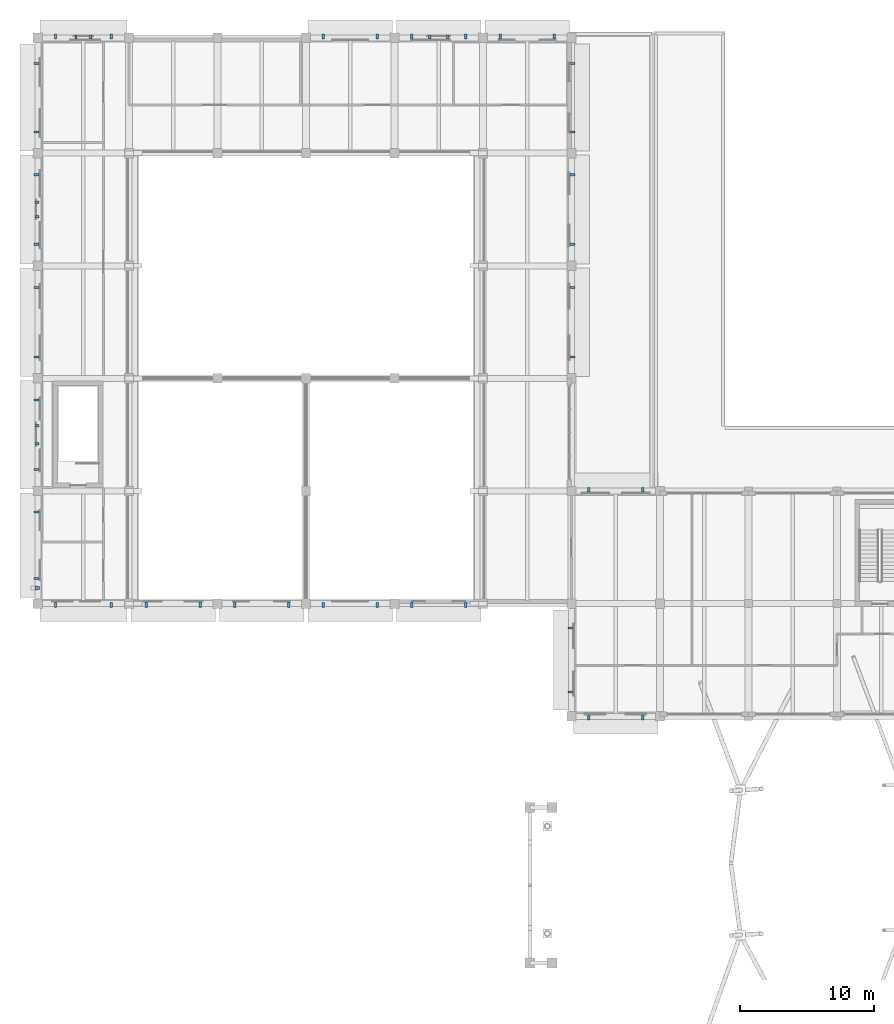
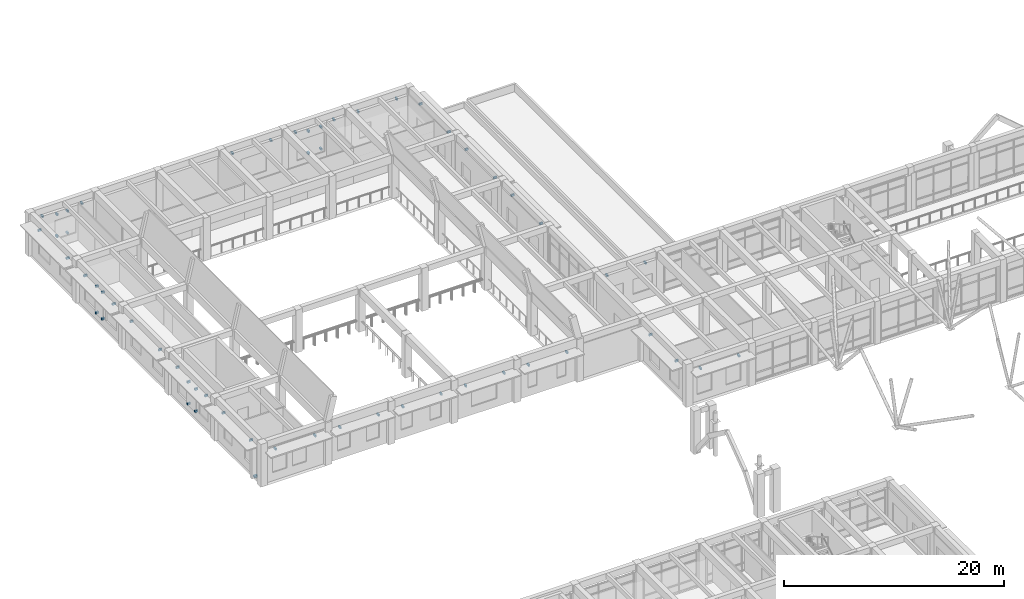
# One storey, part 60 of 75: 57 discrete accessories.
"""IFC4 building model written with IfcOpenShell, lengths in metres."""

from ifc_helpers import new_model, si_unit, direction, frame, origin, origin_2d, place, context, subcontext, project, spatial, rectangle, extrude, material, type_object, element, save


model = new_model("IFC4")

# Units and contexts
model_context = context("Model", 3, precision=1e-05, world=origin(), true_north=direction((0.0, 1.0)))
body_context = subcontext(model_context, "Body", "Model", "MODEL_VIEW")
ifc_project = project(units=[si_unit("LENGTHUNIT", "METRE"), si_unit("AREAUNIT", "SQUARE_METRE"), si_unit("VOLUMEUNIT", "CUBIC_METRE"), si_unit("PLANEANGLEUNIT", "RADIAN"), si_unit("MASSUNIT", "GRAM", prefix="KILO")], contexts=[model_context])

# Site, building, storey
site_placement = place(None, origin())
site = spatial("IfcSite", under=ifc_project, at=site_placement, CompositionType="ELEMENT")
building_placement = place(site_placement, origin())
building = spatial("IfcBuilding", under=site, at=building_placement, Name="Kolvaren Faculty of Natural Sciences", CompositionType="ELEMENT")
storey_placement = place(building_placement, frame((0.0, 0.0, 5.39990234375)))
storey = spatial("IfcBuildingStorey", under=building, at=storey_placement, Name="L01", CompositionType="ELEMENT", Elevation=5.39990234375)

# Discrete accessories
ifc_material = material(Name="Structural steel EN 10025-2 S355J2", Category="steel")
discrete_accessory_type = type_object("IfcDiscreteAccessoryType", Name="FacadeSupportBracket_260", PredefinedType="BRACKET", material=ifc_material)
discrete_accessory_placement = place(storey_placement, frame((-0.0400390625, 76.969970703125, 0.1103515625), z_axis=(0.0, 0.0, 1.0), x_axis=(0.0, 1.0, 0.0)))
element("IfcDiscreteAccessory", 1, at=discrete_accessory_placement, inside=storey, type_object=discrete_accessory_type, Name="L01 facade relief pier anchor bracket 2", PredefinedType="BRACKET", context=body_context, shape_type="SweptSolid", body=[
    extrude(rectangle(XDim=0.239990234375, YDim=0.360107421875, at=origin_2d()), origin(), (0.0, 0.0, 1.0), 0.219970703125),
])
for number, where, z_axis, x_axis, name in (
    (2, (-0.10009765625, 77.67041015625, 3.71533203125), (0.0, 0.0, 1.0), (0.0, 1.0, 0.0), "L01 chhajja hood steel bracket"),
    (3, (-0.10009765625, 82.649658203125, 3.71533203125), (0.0, 0.0, 1.0), (0.0, 1.0, 0.0), "L01 chhajja hood steel bracket"),
    (4, (-0.10009765625, 85.80810546875, 3.71533203125), (0.0, 0.0, 1.0), (0.0, 1.0, 0.0), "L01 chhajja hood steel bracket"),
    (5, (-0.10009765625, 90.991943359375, 3.71533203125), (0.0, 0.0, 1.0), (0.0, 1.0, 0.0), "L01 chhajja hood steel bracket"),
):
    element("IfcDiscreteAccessory", number, at=place(storey_placement, frame(where, z_axis=z_axis, x_axis=x_axis)), inside=storey, type_object=discrete_accessory_type, Name=name, PredefinedType="BRACKET", context=body_context, shape_type="SweptSolid", body=[
        extrude(rectangle(XDim=0.159912109375, YDim=0.340087890625, at=origin_2d()), origin(), (0.0, 0.0, 1.0), 0.219970703125),
    ])
for number, where, z_axis, x_axis, name in (
    (6, (-0.06005859375, 87.735107421875, 0.8203125), (0.0, 0.0, 1.0), (0.0, 1.0, 0.0), "L01 jali screen wall bracket"),
    (7, (-0.06005859375, 89.06494140625, 0.8203125), (0.0, 0.0, 1.0), (0.0, 1.0, 0.0), "L01 jali screen wall bracket"),
    (8, (-0.06005859375, 87.735107421875, 3.26025390625), (0.0, 0.0, 1.0), (0.0, 1.0, 0.0), "L01 jali screen wall bracket"),
    (9, (-0.06005859375, 89.06494140625, 3.26025390625), (0.0, 0.0, 1.0), (0.0, 1.0, 0.0), "L01 jali screen wall bracket"),
):
    element("IfcDiscreteAccessory", number, at=place(storey_placement, frame(where, z_axis=z_axis, x_axis=x_axis)), inside=storey, type_object=discrete_accessory_type, Name=name, PredefinedType="BRACKET", context=body_context, shape_type="SweptSolid", body=[
        extrude(rectangle(XDim=0.179931640625, YDim=0.320068359375, at=origin_2d()), origin(), (0.0, 0.0, 1.0), 0.219970703125),
    ])
for number, where, z_axis, x_axis, name in (
    (10, (-0.10009765625, 94.2080078125, 3.71533203125), (0.0, 0.0, 1.0), (0.0, 1.0, 0.0), "L01 chhajja hood steel bracket"),
    (11, (-0.10009765625, 99.39208984375, 3.71533203125), (0.0, 0.0, 1.0), (0.0, 1.0, 0.0), "L01 chhajja hood steel bracket"),
    (12, (-0.10009765625, 102.60791015625, 3.71533203125), (0.0, 0.0, 1.0), (0.0, 1.0, 0.0), "L01 chhajja hood steel bracket"),
    (13, (-0.10009765625, 107.7919921875, 3.71533203125), (0.0, 0.0, 1.0), (0.0, 1.0, 0.0), "L01 chhajja hood steel bracket"),
):
    element("IfcDiscreteAccessory", number, at=place(storey_placement, frame(where, z_axis=z_axis, x_axis=x_axis)), inside=storey, type_object=discrete_accessory_type, Name=name, PredefinedType="BRACKET", context=body_context, shape_type="SweptSolid", body=[
        extrude(rectangle(XDim=0.159912109375, YDim=0.340087890625, at=origin_2d()), origin(), (0.0, 0.0, 1.0), 0.219970703125),
    ])
for number, where, z_axis, x_axis, name in (
    (14, (-0.06005859375, 104.64892578125, 0.8203125), (0.0, 0.0, 1.0), (0.0, 1.0, 0.0), "L01 jali screen wall bracket"),
    (15, (-0.06005859375, 105.7509765625, 0.8203125), (0.0, 0.0, 1.0), (0.0, 1.0, 0.0), "L01 jali screen wall bracket"),
    (16, (-0.06005859375, 104.64892578125, 3.76025390625), (0.0, 0.0, 1.0), (0.0, 1.0, 0.0), "L01 jali screen wall bracket"),
    (17, (-0.06005859375, 105.7509765625, 3.76025390625), (0.0, 0.0, 1.0), (0.0, 1.0, 0.0), "L01 jali screen wall bracket"),
):
    element("IfcDiscreteAccessory", number, at=place(storey_placement, frame(where, z_axis=z_axis, x_axis=x_axis)), inside=storey, type_object=discrete_accessory_type, Name=name, PredefinedType="BRACKET", context=body_context, shape_type="SweptSolid", body=[
        extrude(rectangle(XDim=0.179931640625, YDim=0.320068359375, at=origin_2d()), origin(), (0.0, 0.0, 1.0), 0.219970703125),
    ])
for number, where, z_axis, x_axis, name in (
    (18, (-0.10009765625, 110.986328125, 3.71533203125), (0.0, 0.0, 1.0), (0.0, 1.0, 0.0), "L01 chhajja hood steel bracket"),
    (19, (-0.10009765625, 116.093505859375, 3.71533203125), (0.0, 0.0, 1.0), (0.0, 1.0, 0.0), "L01 chhajja hood steel bracket"),
    (20, (1.320068359375, 118.10009765625, 3.56494140625), (0.0, 0.0, 1.0), (1.0, 0.0, 0.0), "L01 chhajja hood steel bracket"),
    (21, (5.47998046875, 118.10009765625, 3.56494140625), (0.0, 0.0, 1.0), (1.0, 0.0, 0.0), "L01 chhajja hood steel bracket"),
):
    element("IfcDiscreteAccessory", number, at=place(storey_placement, frame(where, z_axis=z_axis, x_axis=x_axis)), inside=storey, type_object=discrete_accessory_type, Name=name, PredefinedType="BRACKET", context=body_context, shape_type="SweptSolid", body=[
        extrude(rectangle(XDim=0.159912109375, YDim=0.340087890625, at=origin_2d()), origin(), (0.0, 0.0, 1.0), 0.219970703125),
    ])
for number, where, z_axis, x_axis, name in (
    (22, (2.84912109375, 118.06005859375, 0.8203125), (0.0, 0.0, 1.0), (1.0, 0.0, 0.0), "L01 jali screen wall bracket"),
    (23, (3.950927734375, 118.06005859375, 0.8203125), (0.0, 0.0, 1.0), (1.0, 0.0, 0.0), "L01 jali screen wall bracket"),
    (24, (2.84912109375, 118.06005859375, 3.26025390625), (0.0, 0.0, 1.0), (1.0, 0.0, 0.0), "L01 jali screen wall bracket"),
    (25, (3.950927734375, 118.06005859375, 3.26025390625), (0.0, 0.0, 1.0), (1.0, 0.0, 0.0), "L01 jali screen wall bracket"),
):
    element("IfcDiscreteAccessory", number, at=place(storey_placement, frame(where, z_axis=z_axis, x_axis=x_axis)), inside=storey, type_object=discrete_accessory_type, Name=name, PredefinedType="BRACKET", context=body_context, shape_type="SweptSolid", body=[
        extrude(rectangle(XDim=0.179931640625, YDim=0.320068359375, at=origin_2d()), origin(), (0.0, 0.0, 1.0), 0.219970703125),
    ])
for number, where, z_axis, x_axis, name in (
    (26, (21.283935546875, 118.10009765625, 3.56494140625), (0.0, 0.0, 1.0), (1.0, 0.0, 0.0), "L01 chhajja hood steel bracket"),
    (27, (25.31591796875, 118.10009765625, 3.56494140625), (0.0, 0.0, 1.0), (1.0, 0.0, 0.0), "L01 chhajja hood steel bracket"),
    (28, (27.884033203125, 118.10009765625, 3.56494140625), (0.0, 0.0, 1.0), (1.0, 0.0, 0.0), "L01 chhajja hood steel bracket"),
    (29, (31.916015625, 118.10009765625, 3.56494140625), (0.0, 0.0, 1.0), (1.0, 0.0, 0.0), "L01 chhajja hood steel bracket"),
):
    element("IfcDiscreteAccessory", number, at=place(storey_placement, frame(where, z_axis=z_axis, x_axis=x_axis)), inside=storey, type_object=discrete_accessory_type, Name=name, PredefinedType="BRACKET", context=body_context, shape_type="SweptSolid", body=[
        extrude(rectangle(XDim=0.159912109375, YDim=0.340087890625, at=origin_2d()), origin(), (0.0, 0.0, 1.0), 0.219970703125),
    ])
for number, where, z_axis, x_axis, name in (
    (30, (29.235107421875, 118.06005859375, 0.8203125), (0.0, 0.0, 1.0), (1.0, 0.0, 0.0), "L01 jali screen wall bracket"),
    (31, (30.56494140625, 118.06005859375, 0.8203125), (0.0, 0.0, 1.0), (1.0, 0.0, 0.0), "L01 jali screen wall bracket"),
    (32, (29.235107421875, 118.06005859375, 3.26025390625), (0.0, 0.0, 1.0), (1.0, 0.0, 0.0), "L01 jali screen wall bracket"),
    (33, (30.56494140625, 118.06005859375, 3.26025390625), (0.0, 0.0, 1.0), (1.0, 0.0, 0.0), "L01 jali screen wall bracket"),
):
    element("IfcDiscreteAccessory", number, at=place(storey_placement, frame(where, z_axis=z_axis, x_axis=x_axis)), inside=storey, type_object=discrete_accessory_type, Name=name, PredefinedType="BRACKET", context=body_context, shape_type="SweptSolid", body=[
        extrude(rectangle(XDim=0.179931640625, YDim=0.320068359375, at=origin_2d()), origin(), (0.0, 0.0, 1.0), 0.219970703125),
    ])
for number, where, z_axis, x_axis, name in (
    (34, (34.48388671875, 118.10009765625, 3.56494140625), (0.0, 0.0, 1.0), (1.0, 0.0, 0.0), "L01 chhajja hood steel bracket"),
    (35, (38.51611328125, 118.10009765625, 3.56494140625), (0.0, 0.0, 1.0), (1.0, 0.0, 0.0), "L01 chhajja hood steel bracket"),
    (36, (39.89990234375, 116.093505859375, 3.71533203125), (0.0, 0.0, 1.0), (0.0, -1.0, 0.0), "L01 chhajja hood steel bracket"),
    (37, (39.89990234375, 110.986328125, 3.71533203125), (0.0, 0.0, 1.0), (0.0, -1.0, 0.0), "L01 chhajja hood steel bracket"),
    (38, (39.89990234375, 107.7919921875, 3.71533203125), (0.0, 0.0, 1.0), (0.0, -1.0, 0.0), "L01 chhajja hood steel bracket"),
    (39, (39.89990234375, 102.60791015625, 3.71533203125), (0.0, 0.0, 1.0), (0.0, -1.0, 0.0), "L01 chhajja hood steel bracket"),
    (40, (39.89990234375, 99.39208984375, 3.71533203125), (0.0, 0.0, 1.0), (0.0, -1.0, 0.0), "L01 chhajja hood steel bracket"),
    (41, (39.89990234375, 94.2080078125, 3.71533203125), (0.0, 0.0, 1.0), (0.0, -1.0, 0.0), "L01 chhajja hood steel bracket"),
    (42, (41.083984375, 84.300048828125, 3.56494140625), (0.0, 0.0, 1.0), (1.0, 0.0, 0.0), "L01 chhajja hood steel bracket"),
    (43, (45.115966796875, 84.300048828125, 3.56494140625), (0.0, 0.0, 1.0), (1.0, 0.0, 0.0), "L01 chhajja hood steel bracket"),
    (44, (45.115966796875, 67.300048828125, 3.56494140625), (0.0, 0.0, 1.0), (-1.0, 0.0, 0.0), "L01 chhajja hood steel bracket"),
    (45, (41.083984375, 67.300048828125, 3.56494140625), (0.0, 0.0, 1.0), (-1.0, 0.0, 0.0), "L01 chhajja hood steel bracket"),
    (46, (39.699951171875, 69.212890625, 3.71533203125), (0.0, 0.0, 1.0), (0.0, 1.0, 0.0), "L01 chhajja hood steel bracket"),
    (47, (39.699951171875, 73.9873046875, 3.71533203125), (0.0, 0.0, 1.0), (0.0, 1.0, 0.0), "L01 chhajja hood steel bracket"),
    (48, (31.916015625, 75.699951171875, 3.46533203125), (0.0, 0.0, 1.0), (-1.0, 0.0, 0.0), "L01 chhajja hood steel bracket"),
    (49, (27.884033203125, 75.699951171875, 3.46533203125), (0.0, 0.0, 1.0), (-1.0, 0.0, 0.0), "L01 chhajja hood steel bracket"),
    (50, (25.31591796875, 75.699951171875, 3.46533203125), (0.0, 0.0, 1.0), (-1.0, 0.0, 0.0), "L01 chhajja hood steel bracket"),
    (51, (21.283935546875, 75.699951171875, 3.46533203125), (0.0, 0.0, 1.0), (-1.0, 0.0, 0.0), "L01 chhajja hood steel bracket"),
    (52, (18.716064453125, 75.699951171875, 3.46533203125), (0.0, 0.0, 1.0), (-1.0, 0.0, 0.0), "L01 chhajja hood steel bracket"),
    (53, (14.68408203125, 75.699951171875, 3.46533203125), (0.0, 0.0, 1.0), (-1.0, 0.0, 0.0), "L01 chhajja hood steel bracket"),
    (54, (12.115966796875, 75.699951171875, 3.46533203125), (0.0, 0.0, 1.0), (-1.0, 0.0, 0.0), "L01 chhajja hood steel bracket"),
    (55, (8.083984375, 75.699951171875, 3.46533203125), (0.0, 0.0, 1.0), (-1.0, 0.0, 0.0), "L01 chhajja hood steel bracket"),
    (56, (5.47998046875, 75.699951171875, 3.46533203125), (0.0, 0.0, 1.0), (-1.0, 0.0, 0.0), "L01 chhajja hood steel bracket"),
    (57, (1.320068359375, 75.699951171875, 3.46533203125), (0.0, 0.0, 1.0), (-1.0, 0.0, 0.0), "L01 chhajja hood steel bracket"),
):
    element("IfcDiscreteAccessory", number, at=place(storey_placement, frame(where, z_axis=z_axis, x_axis=x_axis)), inside=storey, type_object=discrete_accessory_type, Name=name, PredefinedType="BRACKET", context=body_context, shape_type="SweptSolid", body=[
        extrude(rectangle(XDim=0.159912109375, YDim=0.340087890625, at=origin_2d()), origin(), (0.0, 0.0, 1.0), 0.219970703125),
    ])

save(model, "model.ifc")
